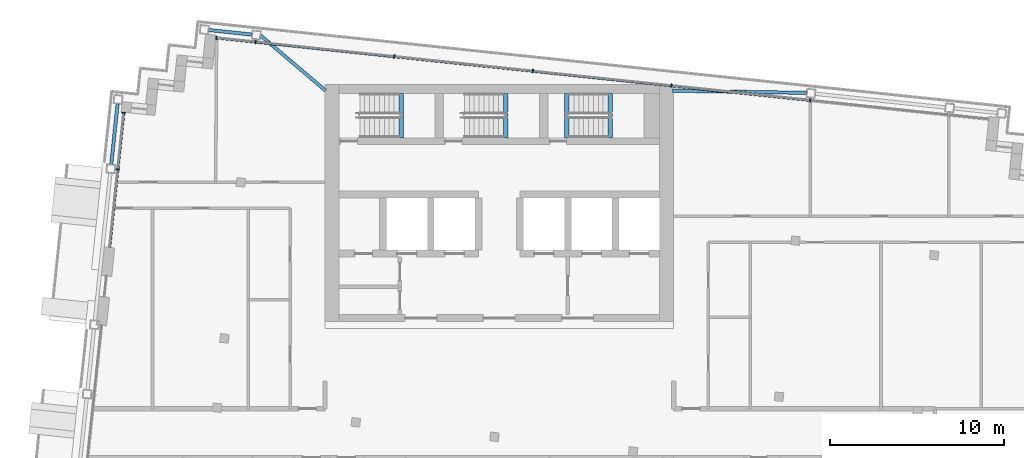
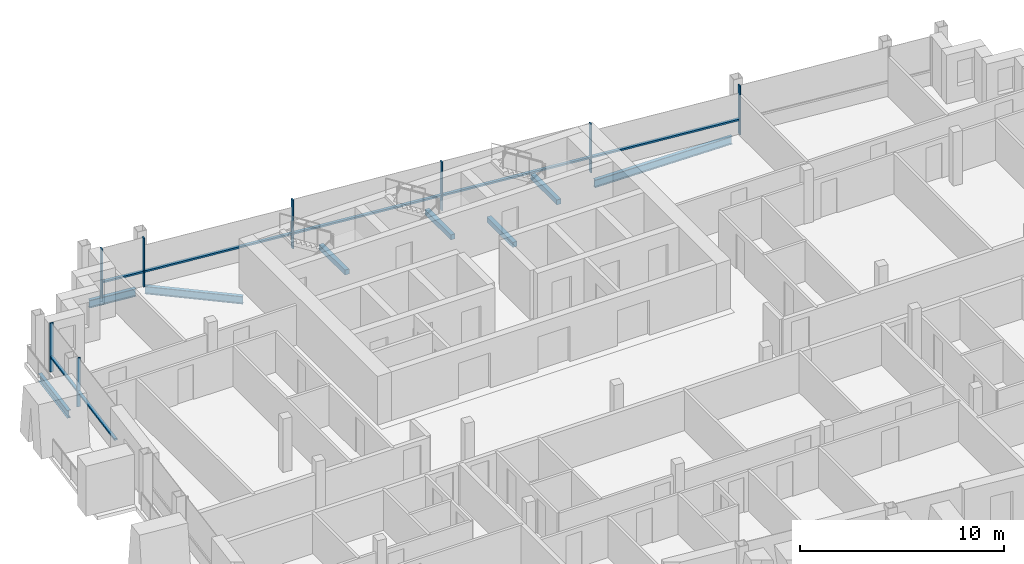
# One storey, part 5 of 16: 15 members, 8 beams, 2 elements without a shape of their own.
"""IFC4 building model written with IfcOpenShell, lengths in metres."""

from ifc_helpers import new_model, si_unit, direction, frame, origin, origin_2d, place, context, subcontext, project, spatial, rectangle, i_section, extrude, material, material_profile, profile_set, type_object, element, aggregate, save


model = new_model("IFC4")

# Units and contexts
model_context = context("Model", 3, precision=1e-05, world=origin(), true_north=direction((0.0, 1.0)))
body_context = subcontext(model_context, "Body", "Model", "MODEL_VIEW")
ifc_project = project(units=[si_unit("LENGTHUNIT", "METRE"), si_unit("AREAUNIT", "SQUARE_METRE"), si_unit("VOLUMEUNIT", "CUBIC_METRE"), si_unit("PLANEANGLEUNIT", "RADIAN"), si_unit("MASSUNIT", "GRAM", prefix="KILO")], contexts=[model_context])

# Site, building, storey
site_placement = place(None, origin())
site = spatial("IfcSite", under=ifc_project, at=site_placement, CompositionType="ELEMENT")
building_placement = place(site_placement, origin())
building = spatial("IfcBuilding", under=site, at=building_placement, Name="Vidyagriha Tower", CompositionType="ELEMENT")
storey_placement = place(building_placement, frame((0.0, 0.0, 259.5)))
storey = spatial("IfcBuildingStorey", under=building, at=storey_placement, Name="L67", CompositionType="ELEMENT", Elevation=259.5)

# Beams
ifc_material_1 = material(Name="Steel ASTM A992 Grade 50", Category="steel")
ifc_material_profile_1 = material_profile(ifc_material_1, i_section(OverallWidth=0.19189453125, OverallDepth=0.46240234375, WebThickness=0.010498046875, FlangeThickness=0.017578125, at=origin_2d()), Name="W18X60")
ifc_profile_set_1 = profile_set([ifc_material_profile_1], Name="Steel ASTM A992 Grade 50")
beam_type_1 = type_object("IfcBeamType", Name="Edge beam W18X60", PredefinedType="SPANDREL", material=ifc_profile_set_1)
beam_1_placement = place(storey_placement, frame((-22.263916015625, 15.422607421875, -0.51123046875), z_axis=(0.104495960989, 0.994525310958, 0.0), x_axis=(-0.994525310958, 0.104495960989, 0.0)))
element("IfcBeam", 1, at=beam_1_placement, inside=storey, type_object=beam_type_1, Name="st-beam-L67-W12", PredefinedType="SPANDREL", context=body_context, shape_type="SweptSolid", body=[
    extrude(i_section(OverallWidth=0.19189453125, OverallDepth=0.46240234375, WebThickness=0.010498046875, FlangeThickness=0.017578125, at=origin_2d()), origin(), (0.0, 0.0, 1.0), 3.499755859375),
])
beam_2_placement = place(storey_placement, frame((-16.677490234375, 23.130859375, -0.51123046875), z_axis=(0.994514546653, -0.104598357995, 0.0), x_axis=(0.104598357995, 0.994514546653, 0.0)))
element("IfcBeam", 2, at=beam_2_placement, inside=storey, type_object=beam_type_1, Name="st-beam-L67-NW18", PredefinedType="SPANDREL", context=body_context, shape_type="SweptSolid", body=[
    extrude(i_section(OverallWidth=0.19189453125, OverallDepth=0.46240234375, WebThickness=0.010498046875, FlangeThickness=0.017578125, at=origin_2d()), origin(), (0.0, 0.0, 1.0), 2.499755859375),
])
beam_3_placement = place(storey_placement, frame((-13.694091796875, 22.817138671875, -0.51123046875), z_axis=(0.762224865329, -0.647312331625, 0.0), x_axis=(0.647312331625, 0.762224865329, 0.0)))
element("IfcBeam", 3, at=beam_3_placement, inside=storey, type_object=beam_type_1, Name="st-beam-L67-NC21", PredefinedType="SPANDREL", context=body_context, shape_type="SweptSolid", body=[
    extrude(i_section(OverallWidth=0.19189453125, OverallDepth=0.46240234375, WebThickness=0.010498046875, FlangeThickness=0.017578125, at=origin_2d()), origin(), (0.0, 0.0, 1.0), 4.892822265625),
])
beam_4_placement = place(storey_placement, frame((9.92578125, 19.64990234375, -0.51123046875), z_axis=(0.99986748631, -0.016279122203, 0.0), x_axis=(0.016279122203, 0.99986748631, 0.0)))
element("IfcBeam", 4, at=beam_4_placement, inside=storey, type_object=beam_type_1, Name="st-beam-L67-NC22", PredefinedType="SPANDREL", context=body_context, shape_type="SweptSolid", body=[
    extrude(i_section(OverallWidth=0.19189453125, OverallDepth=0.46240234375, WebThickness=0.010498046875, FlangeThickness=0.017578125, at=origin_2d()), origin(), (0.0, 0.0, 1.0), 7.70849609375),
])

# Curtain wall, members
ifc_material_2 = material(Name="Aluminium and glass curtain wall", Category="aluminium")
curtain_wall_type = type_object("IfcCurtainWallType", Name="Dwelling skin unitised curtain wall", PredefinedType="USERDEFINED", material=ifc_material_2)
curtain_wall_1_placement = place(storey_placement, origin())
curtain_wall_1 = element("IfcCurtainWall", 5, at=curtain_wall_1_placement, inside=storey, type_object=curtain_wall_type, Name="CW1 dwelling skin", ObjectType="UNITISED", PredefinedType="USERDEFINED")
ifc_material_3 = material(Name="Aluminium black anodised", Category="aluminium")
ifc_material_profile_2 = material_profile(ifc_material_3, rectangle(XDim=0.199951171875, YDim=0.070068359375, at=origin_2d()), Name="Mullion 70x200 black aluminium")
ifc_profile_set_2 = profile_set([ifc_material_profile_2], Name="Aluminium black anodised")
member_type_1 = type_object("IfcMemberType", Name="Mullion 70x200 black aluminium", PredefinedType="MULLION", material=ifc_profile_set_2)
member_1_placement = place(storey_placement, frame((17.840087890625, 19.1005859375, 0.0), z_axis=(0.0, 0.0, 1.0), x_axis=(-0.104528852722, -0.994521854435, 0.0)))
member_1 = element("IfcMember", 6, at=member_1_placement, type_object=member_type_1, Name="CW1 mullion 3", PredefinedType="MULLION", context=body_context, shape_type="SweptSolid", body=[
    extrude(rectangle(XDim=0.199951171875, YDim=0.070068359375, at=origin_2d()), origin(), (0.0, 0.0, 1.0), 2.919921875),
])
member_2_placement = place(storey_placement, frame((9.884033203125, 19.936767578125, 0.0), z_axis=(0.0, 0.0, 1.0), x_axis=(-0.104528852722, -0.994521854435, 0.0)))
member_2 = element("IfcMember", 7, at=member_2_placement, type_object=member_type_1, Name="CW1 mullion 4", PredefinedType="MULLION", context=body_context, shape_type="SweptSolid", body=[
    extrude(rectangle(XDim=0.199951171875, YDim=0.070068359375, at=origin_2d()), origin(), (0.0, 0.0, 1.0), 2.919921875),
])
member_3_placement = place(storey_placement, frame((1.927978515625, 20.773193359375, 0.0), z_axis=(0.0, 0.0, 1.0), x_axis=(-0.104528852722, -0.994521854435, 0.0)))
member_3 = element("IfcMember", 8, at=member_3_placement, type_object=member_type_1, Name="CW1 mullion 5", PredefinedType="MULLION", context=body_context, shape_type="SweptSolid", body=[
    extrude(rectangle(XDim=0.199951171875, YDim=0.070068359375, at=origin_2d()), origin(), (0.0, 0.0, 1.0), 2.919921875),
])
member_4_placement = place(storey_placement, frame((-6.0283203125, 21.609375, 0.0), z_axis=(0.0, 0.0, 1.0), x_axis=(-0.104528852722, -0.994521854435, 0.0)))
member_4 = element("IfcMember", 9, at=member_4_placement, type_object=member_type_1, Name="CW1 mullion 6", PredefinedType="MULLION", context=body_context, shape_type="SweptSolid", body=[
    extrude(rectangle(XDim=0.199951171875, YDim=0.070068359375, at=origin_2d()), origin(), (0.0, 0.0, 1.0), 2.919921875),
])
member_5_placement = place(storey_placement, frame((-13.984375, 22.445556640625, 0.0), z_axis=(0.0, 0.0, 1.0), x_axis=(-0.104528852722, -0.994521854435, 0.0)))
member_5 = element("IfcMember", 10, at=member_5_placement, type_object=member_type_1, Name="CW1 mullion 7", PredefinedType="MULLION", context=body_context, shape_type="SweptSolid", body=[
    extrude(rectangle(XDim=0.199951171875, YDim=0.070068359375, at=origin_2d()), origin(), (0.0, 0.0, 1.0), 2.919921875),
])
member_6_placement = place(storey_placement, frame((-16.2373046875, 22.682373046875, 0.0), z_axis=(0.0, 0.0, 1.0), x_axis=(-0.104528852722, -0.994521854435, 0.0)))
member_6 = element("IfcMember", 11, at=member_6_placement, type_object=member_type_1, Name="CW1 mullion 8", PredefinedType="MULLION", context=body_context, shape_type="SweptSolid", body=[
    extrude(rectangle(XDim=0.199951171875, YDim=0.070068359375, at=origin_2d()), origin(), (0.0, 0.0, 1.0), 2.919921875),
])

curtain_wall_2_placement = place(storey_placement, origin())
curtain_wall_2 = element("IfcCurtainWall", 12, at=curtain_wall_2_placement, inside=storey, type_object=curtain_wall_type, Name="CW1 dwelling skin", ObjectType="UNITISED", PredefinedType="USERDEFINED")
member_7_placement = place(storey_placement, frame((-21.551025390625, 18.379150390625, 0.0), z_axis=(0.0, 0.0, 1.0), x_axis=(0.994522229676, -0.104525282489, 0.0)))
member_7 = element("IfcMember", 13, at=member_7_placement, type_object=member_type_1, Name="CW1 mullion 1", PredefinedType="MULLION", context=body_context, shape_type="SweptSolid", body=[
    extrude(rectangle(XDim=0.199951171875, YDim=0.070068359375, at=origin_2d()), origin(), (0.0, 0.0, 1.0), 2.919921875),
])
member_8_placement = place(storey_placement, frame((-21.892333984375, 15.132080078125, 0.0), z_axis=(0.0, 0.0, 1.0), x_axis=(0.994522229676, -0.104525282489, 0.0)))
member_8 = element("IfcMember", 14, at=member_8_placement, type_object=member_type_1, Name="CW1 mullion 2", PredefinedType="MULLION", context=body_context, shape_type="SweptSolid", body=[
    extrude(rectangle(XDim=0.199951171875, YDim=0.070068359375, at=origin_2d()), origin(), (0.0, 0.0, 1.0), 2.919921875),
])

# Beams
ifc_material_4 = material(Name="Concrete C40/50", Category="concrete")
ifc_material_profile_3 = material_profile(ifc_material_4, rectangle(XDim=0.25, YDim=0.300048828125, at=origin_2d()), Name="Stair landing bearing beam 250x300")
ifc_profile_set_3 = profile_set([ifc_material_profile_3], Name="Concrete C40/50")
beam_type_2 = type_object("IfcBeamType", Name="Stair landing bearing beam 250x300", PredefinedType="BEAM", material=ifc_profile_set_3)
for number, where, z_axis, x_axis, name in (
    (15, (3.875, 16.949951171875, -0.429931640625), (0.0, 1.0, 0.0), (-1.0, 0.0, 0.0), "ST3 floor landing bearing beam L67"),
    (16, (-5.635009765625, 16.949951171875, 1.25), (0.0, 1.0, 0.0), (-1.0, 0.0, 0.0), "ST1 landing bearing beam L67"),
    (17, (0.364990234375, 16.949951171875, 1.25), (0.0, 1.0, 0.0), (-1.0, 0.0, 0.0), "ST2 landing bearing beam L67"),
    (18, (6.364990234375, 16.949951171875, 1.25), (0.0, 1.0, 0.0), (-1.0, 0.0, 0.0), "ST3 landing bearing beam L67"),
):
    element("IfcBeam", number, at=place(storey_placement, frame(where, z_axis=z_axis, x_axis=x_axis)), inside=storey, type_object=beam_type_2, Name=name, PredefinedType="BEAM", context=body_context, shape_type="SweptSolid", body=[
        extrude(rectangle(XDim=0.25, YDim=0.300048828125, at=origin_2d()), origin(), (0.0, 0.0, 1.0), 2.550048828125),
    ])

# Member
ifc_material_5 = material(Name="Aluminium black anodised", Category="aluminium")
ifc_material_profile_4 = material_profile(ifc_material_5, rectangle(XDim=0.159912109375, YDim=0.10009765625, at=origin_2d()), Name="Transom 100x160 black aluminium")
ifc_profile_set_4 = profile_set([ifc_material_profile_4], Name="Aluminium black anodised")
member_type_2 = type_object("IfcMemberType", Name="Transom 100x160 black aluminium", PredefinedType="USERDEFINED", material=ifc_profile_set_4)
member_9_placement = place(storey_placement, frame((17.805419921875, 19.104248046875, 0.89990234375), z_axis=(-0.994522814543, 0.104519717539, 0.0), x_axis=(-0.104519717539, -0.994522814543, 0.0)))
member_9 = element("IfcMember", 19, at=member_9_placement, type_object=member_type_2, Name="CW1 transom 3.1", ObjectType="TRANSOM", PredefinedType="USERDEFINED", context=body_context, shape_type="SweptSolid", body=[
    extrude(rectangle(XDim=0.159912109375, YDim=0.10009765625, at=origin_2d()), origin(), (0.0, 0.0, 1.0), 7.93017578125),
])

member_10_placement = place(storey_placement, frame((9.84912109375, 19.9404296875, 0.89990234375), z_axis=(-0.994519277397, 0.104553368605, 0.0), x_axis=(-0.104553368605, -0.994519277397, 0.0)))
member_10 = element("IfcMember", 20, at=member_10_placement, type_object=member_type_2, Name="CW1 transom 4.1", ObjectType="TRANSOM", PredefinedType="USERDEFINED", context=body_context, shape_type="SweptSolid", body=[
    extrude(rectangle(XDim=0.159912109375, YDim=0.10009765625, at=origin_2d()), origin(), (0.0, 0.0, 1.0), 7.929931640625),
])

member_11_placement = place(storey_placement, frame((1.89306640625, 20.77685546875, 0.89990234375), z_axis=(-0.994522478205, 0.104522917794, 0.0), x_axis=(-0.104522917794, -0.994522478205, 0.0)))
member_11 = element("IfcMember", 21, at=member_11_placement, type_object=member_type_2, Name="CW1 transom 5.1", ObjectType="TRANSOM", PredefinedType="USERDEFINED", context=body_context, shape_type="SweptSolid", body=[
    extrude(rectangle(XDim=0.159912109375, YDim=0.10009765625, at=origin_2d()), origin(), (0.0, 0.0, 1.0), 7.929931640625),
])

member_12_placement = place(storey_placement, frame((-6.06298828125, 21.613037109375, 0.89990234375), z_axis=(-0.994522814543, 0.104519717539, 0.0), x_axis=(-0.104519717539, -0.994522814543, 0.0)))
member_12 = element("IfcMember", 22, at=member_12_placement, type_object=member_type_2, Name="CW1 transom 6.1", ObjectType="TRANSOM", PredefinedType="USERDEFINED", context=body_context, shape_type="SweptSolid", body=[
    extrude(rectangle(XDim=0.159912109375, YDim=0.10009765625, at=origin_2d()), origin(), (0.0, 0.0, 1.0), 7.93017578125),
])

member_13_placement = place(storey_placement, frame((-14.019287109375, 22.44921875, 0.89990234375), z_axis=(-0.994520069272, 0.104545835956, 0.0), x_axis=(-0.104545835956, -0.994520069272, 0.0)))
member_13 = element("IfcMember", 23, at=member_13_placement, type_object=member_type_2, Name="CW1 transom 7.1", ObjectType="TRANSOM", PredefinedType="USERDEFINED", context=body_context, shape_type="SweptSolid", body=[
    extrude(rectangle(XDim=0.159912109375, YDim=0.10009765625, at=origin_2d()), origin(), (0.0, 0.0, 1.0), 2.195068359375),
])

aggregate(curtain_wall_1, [member_1, member_2, member_3, member_4, member_5, member_6, member_9, member_10, member_11, member_12, member_13])

member_14_placement = place(storey_placement, frame((-21.5546875, 18.344482421875, 0.89990234375), z_axis=(-0.104533631179, -0.994521352185, 0.0), x_axis=(0.994521352185, -0.104533631179, 0.0)))
member_14 = element("IfcMember", 24, at=member_14_placement, type_object=member_type_2, Name="CW1 transom 1.1", ObjectType="TRANSOM", PredefinedType="USERDEFINED", context=body_context, shape_type="SweptSolid", body=[
    extrude(rectangle(XDim=0.159912109375, YDim=0.10009765625, at=origin_2d()), origin(), (0.0, 0.0, 1.0), 3.195068359375),
])

member_15_placement = place(storey_placement, frame((-21.89599609375, 15.097412109375, 0.89990234375), z_axis=(-0.104542473379, -0.994520422746, 0.0), x_axis=(0.994520422746, -0.104542473379, 0.0)))
member_15 = element("IfcMember", 25, at=member_15_placement, type_object=member_type_2, Name="CW1 transom 2.1", ObjectType="TRANSOM", PredefinedType="USERDEFINED", context=body_context, shape_type="SweptSolid", body=[
    extrude(rectangle(XDim=0.159912109375, YDim=0.10009765625, at=origin_2d()), origin(), (0.0, 0.0, 1.0), 4.465087890625),
])

aggregate(curtain_wall_2, [member_7, member_8, member_14, member_15])

save(model, "model.ifc")
